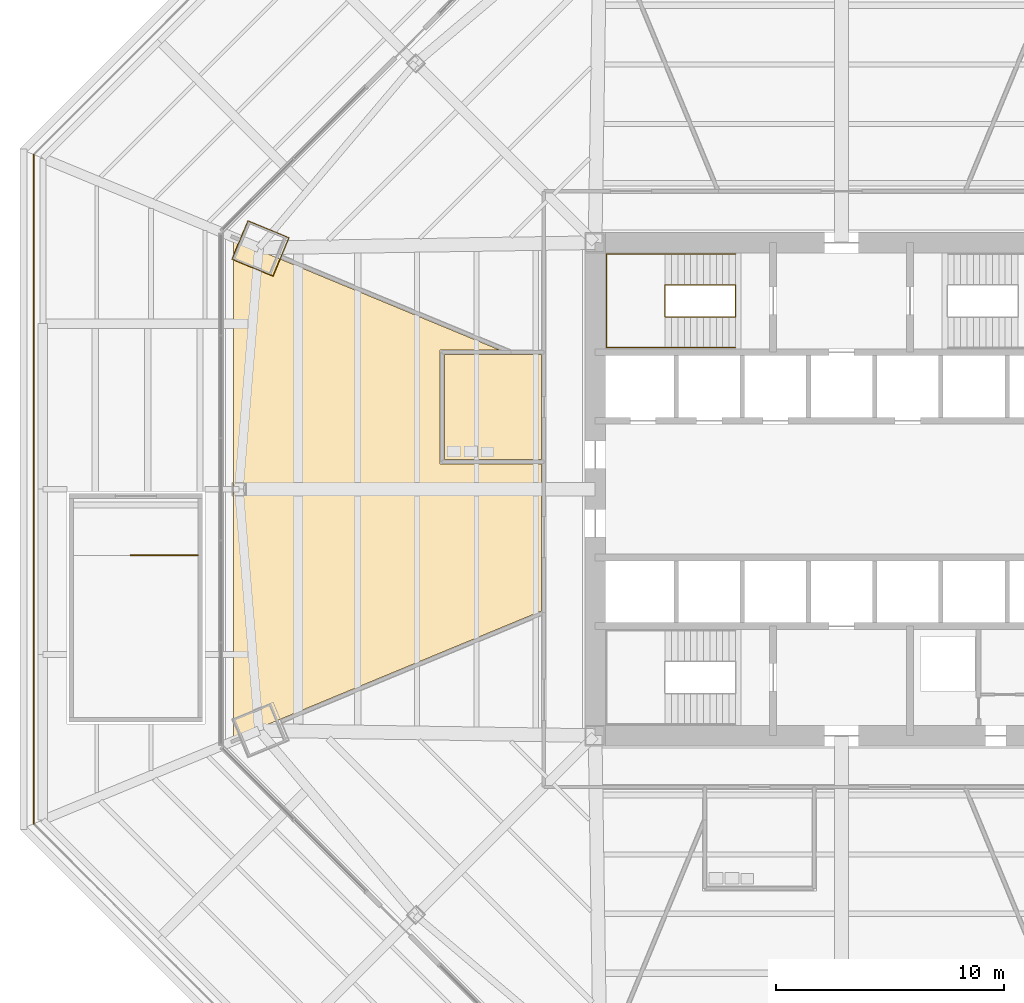
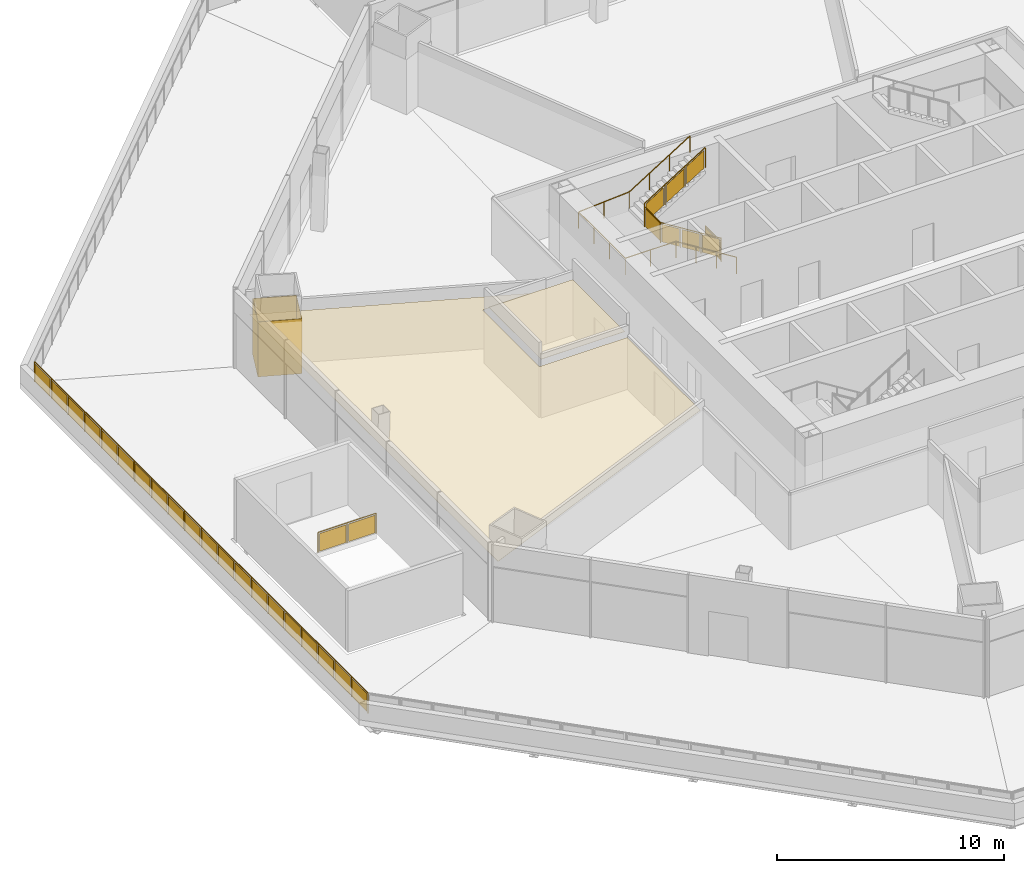
# One storey, part 21 of 25: 4 railings, 3 coverings.
"""IFC4 building model written with IfcOpenShell, lengths in metres."""

from ifc_helpers import new_model, si_unit, direction, frame, origin, origin_2d, place, context, subcontext, project, spatial, polyline, circle, outline, extrude, material, layer, layer_set, type_object, element, save


model = new_model("IFC4")

# Units and contexts
model_context = context("Model", 3, precision=1e-05, world=origin(), true_north=direction((0.0, 1.0)))
body_context = subcontext(model_context, "Body", "Model", "MODEL_VIEW")
ifc_project = project(units=[si_unit("LENGTHUNIT", "METRE"), si_unit("AREAUNIT", "SQUARE_METRE"), si_unit("VOLUMEUNIT", "CUBIC_METRE"), si_unit("PLANEANGLEUNIT", "RADIAN"), si_unit("MASSUNIT", "GRAM", prefix="KILO")], contexts=[model_context])

# Site, building, storey
site_placement = place(None, origin())
site = spatial("IfcSite", under=ifc_project, at=site_placement, CompositionType="ELEMENT")
building_placement = place(site_placement, origin())
building = spatial("IfcBuilding", under=site, at=building_placement, Name="Mashrafa Tower", CompositionType="ELEMENT")
storey_placement = place(building_placement, frame((0.0, 0.0, 28.800048828125)))
storey = spatial("IfcBuildingStorey", under=building, at=storey_placement, Name="L05", CompositionType="ELEMENT", Elevation=28.800048828125)

# Covering
ifc_material_1 = material(Name="Gypsum board")
ifc_layer_1 = layer(ifc_material_1, 0.014892578125)
ifc_layer_set_1 = layer_set([ifc_layer_1], Name="Column casing plasterboard 15")
covering_type_1 = type_object("IfcCoveringType", Name="Column casing plasterboard 15", PredefinedType="CLADDING", material=ifc_layer_set_1)
covering_1_placement = place(storey_placement, origin())
element("IfcCovering", 1, at=covering_1_placement, inside=storey, type_object=covering_type_1, Name="Column casing L05-004", PredefinedType="CLADDING", context=body_context, shape_type="SweptSolid", body=[
    extrude(outline(polyline([(-26.5849609375, 10.021484375), (-26.7177734375, 10.076416015625), (-26.017333984375, 11.76708984375), (-24.33984375, 11.072265625), (-24.20703125, 11.017333984375), (-24.907470703125, 9.32666015625), (-26.5849609375, 10.021484375)]), holes=[polyline([(-24.226806640625, 11.00927734375), (-24.345458984375, 11.058349609375), (-26.00927734375, 11.74755859375), (-26.697998046875, 10.084716796875), (-26.579345703125, 10.035400390625), (-24.91552734375, 9.34619140625), (-24.226806640625, 11.00927734375)])]), origin(), (0.0, 0.0, 1.0), 2.949951171875),
])

# Railings
ifc_material_2 = material(Name="Stainless steel guard with glass infill", Category="steel")
railing_type_1 = type_object("IfcRailingType", Name="Roof garden guard 1100 high", PredefinedType="GUARDRAIL", material=ifc_material_2)
railing_1_placement = place(storey_placement, frame((-35.39990234375, 14.6630859375, 0.0)))
element("IfcRailing", 2, at=railing_1_placement, inside=storey, type_object=railing_type_1, Name="Roof garden guard L05 west", PredefinedType="GUARDRAIL", context=body_context, shape_type="SweptSolid", body=[
    extrude(circle(Radius=0.02392578125, at=origin_2d()), frame((0.0, 0.0, 1.076171875), z_axis=(0.0, -1.0, 0.0), x_axis=(1.0, 0.0, 0.0)), (0.0, 0.0, 1.0), 29.326171875),
    extrude(circle(Radius=0.02099609375, at=origin_2d()), origin(), (0.0, 0.0, 1.0), 1.052001953125),
    extrude(circle(Radius=0.02099609375, at=origin_2d()), frame((0.0, -1.46630859375, 0.0)), (0.0, 0.0, 1.0), 1.052001953125),
    extrude(circle(Radius=0.02099609375, at=origin_2d()), frame((0.0, -2.9326171875, 0.0)), (0.0, 0.0, 1.0), 1.052001953125),
    extrude(circle(Radius=0.02099609375, at=origin_2d()), frame((0.0, -4.39892578125, 0.0)), (0.0, 0.0, 1.0), 1.052001953125),
    extrude(circle(Radius=0.02099609375, at=origin_2d()), frame((0.0, -5.865234375, 0.0)), (0.0, 0.0, 1.0), 1.052001953125),
    extrude(circle(Radius=0.02099609375, at=origin_2d()), frame((0.0, -7.33154296875, 0.0)), (0.0, 0.0, 1.0), 1.052001953125),
    extrude(circle(Radius=0.02099609375, at=origin_2d()), frame((0.0, -8.7978515625, 0.0)), (0.0, 0.0, 1.0), 1.052001953125),
    extrude(circle(Radius=0.02099609375, at=origin_2d()), frame((0.0, -10.26416015625, 0.0)), (0.0, 0.0, 1.0), 1.052001953125),
    extrude(circle(Radius=0.02099609375, at=origin_2d()), frame((0.0, -11.73046875, 0.0)), (0.0, 0.0, 1.0), 1.052001953125),
    extrude(circle(Radius=0.02099609375, at=origin_2d()), frame((0.0, -13.19677734375, 0.0)), (0.0, 0.0, 1.0), 1.052001953125),
    extrude(circle(Radius=0.02099609375, at=origin_2d()), frame((0.0, -14.6630859375, 0.0)), (0.0, 0.0, 1.0), 1.052001953125),
    extrude(circle(Radius=0.02099609375, at=origin_2d()), frame((0.0, -16.12939453125, 0.0)), (0.0, 0.0, 1.0), 1.052001953125),
    extrude(circle(Radius=0.02099609375, at=origin_2d()), frame((0.0, -17.595703125, 0.0)), (0.0, 0.0, 1.0), 1.052001953125),
    extrude(circle(Radius=0.02099609375, at=origin_2d()), frame((0.0, -19.06201171875, 0.0)), (0.0, 0.0, 1.0), 1.052001953125),
    extrude(circle(Radius=0.02099609375, at=origin_2d()), frame((0.0, -20.5283203125, 0.0)), (0.0, 0.0, 1.0), 1.052001953125),
    extrude(circle(Radius=0.02099609375, at=origin_2d()), frame((0.0, -21.99462890625, 0.0)), (0.0, 0.0, 1.0), 1.052001953125),
    extrude(circle(Radius=0.02099609375, at=origin_2d()), frame((0.0, -23.4609375, 0.0)), (0.0, 0.0, 1.0), 1.052001953125),
    extrude(circle(Radius=0.02099609375, at=origin_2d()), frame((0.0, -24.92724609375, 0.0)), (0.0, 0.0, 1.0), 1.052001953125),
    extrude(circle(Radius=0.02099609375, at=origin_2d()), frame((0.0, -26.3935546875, 0.0)), (0.0, 0.0, 1.0), 1.052001953125),
    extrude(circle(Radius=0.02099609375, at=origin_2d()), frame((0.0, -27.85986328125, 0.0)), (0.0, 0.0, 1.0), 1.052001953125),
    extrude(circle(Radius=0.02099609375, at=origin_2d()), frame((0.0, -29.326171875, 0.0)), (0.0, 0.0, 1.0), 1.052001953125),
    extrude(outline(polyline([(0.071044921875, 0.050048828125), (1.395263671875, 0.050048828125), (1.395263671875, 1.001953125), (0.071044921875, 1.001953125), (0.071044921875, 0.050048828125)])), frame((-0.006103515625, 0.0, 0.0), z_axis=(-1.0, 0.0, 0.0), x_axis=(0.0, -1.0, 0.0)), (0.0, 0.0, 1.0), 0.011962890625),
    extrude(outline(polyline([(1.537353515625, 0.050048828125), (2.861572265625, 0.050048828125), (2.861572265625, 1.001953125), (1.537353515625, 1.001953125), (1.537353515625, 0.050048828125)])), frame((-0.006103515625, 0.0, 0.0), z_axis=(-1.0, 0.0, 0.0), x_axis=(0.0, -1.0, 0.0)), (0.0, 0.0, 1.0), 0.011962890625),
    extrude(outline(polyline([(3.003662109375, 0.050048828125), (4.327880859375, 0.050048828125), (4.327880859375, 1.001953125), (3.003662109375, 1.001953125), (3.003662109375, 0.050048828125)])), frame((-0.006103515625, 0.0, 0.0), z_axis=(-1.0, 0.0, 0.0), x_axis=(0.0, -1.0, 0.0)), (0.0, 0.0, 1.0), 0.011962890625),
    extrude(outline(polyline([(4.469970703125, 0.050048828125), (5.794189453125, 0.050048828125), (5.794189453125, 1.001953125), (4.469970703125, 1.001953125), (4.469970703125, 0.050048828125)])), frame((-0.006103515625, 0.0, 0.0), z_axis=(-1.0, 0.0, 0.0), x_axis=(0.0, -1.0, 0.0)), (0.0, 0.0, 1.0), 0.011962890625),
    extrude(outline(polyline([(5.936279296875, 0.050048828125), (7.260498046875, 0.050048828125), (7.260498046875, 1.001953125), (5.936279296875, 1.001953125), (5.936279296875, 0.050048828125)])), frame((-0.006103515625, 0.0, 0.0), z_axis=(-1.0, 0.0, 0.0), x_axis=(0.0, -1.0, 0.0)), (0.0, 0.0, 1.0), 0.011962890625),
    extrude(outline(polyline([(7.402587890625, 0.050048828125), (8.726806640625, 0.050048828125), (8.726806640625, 1.001953125), (7.402587890625, 1.001953125), (7.402587890625, 0.050048828125)])), frame((-0.006103515625, 0.0, 0.0), z_axis=(-1.0, 0.0, 0.0), x_axis=(0.0, -1.0, 0.0)), (0.0, 0.0, 1.0), 0.011962890625),
    extrude(outline(polyline([(8.868896484375, 0.050048828125), (10.193115234375, 0.050048828125), (10.193115234375, 1.001953125), (8.868896484375, 1.001953125), (8.868896484375, 0.050048828125)])), frame((-0.006103515625, 0.0, 0.0), z_axis=(-1.0, 0.0, 0.0), x_axis=(0.0, -1.0, 0.0)), (0.0, 0.0, 1.0), 0.011962890625),
    extrude(outline(polyline([(10.335205078125, 0.050048828125), (11.659423828125, 0.050048828125), (11.659423828125, 1.001953125), (10.335205078125, 1.001953125), (10.335205078125, 0.050048828125)])), frame((-0.006103515625, 0.0, 0.0), z_axis=(-1.0, 0.0, 0.0), x_axis=(0.0, -1.0, 0.0)), (0.0, 0.0, 1.0), 0.011962890625),
    extrude(outline(polyline([(11.801513671875, 0.050048828125), (13.125732421875, 0.050048828125), (13.125732421875, 1.001953125), (11.801513671875, 1.001953125), (11.801513671875, 0.050048828125)])), frame((-0.006103515625, 0.0, 0.0), z_axis=(-1.0, 0.0, 0.0), x_axis=(0.0, -1.0, 0.0)), (0.0, 0.0, 1.0), 0.011962890625),
    extrude(outline(polyline([(13.267822265625, 0.050048828125), (14.592041015625, 0.050048828125), (14.592041015625, 1.001953125), (13.267822265625, 1.001953125), (13.267822265625, 0.050048828125)])), frame((-0.006103515625, 0.0, 0.0), z_axis=(-1.0, 0.0, 0.0), x_axis=(0.0, -1.0, 0.0)), (0.0, 0.0, 1.0), 0.011962890625),
    extrude(outline(polyline([(14.734130859375, 0.050048828125), (16.058349609375, 0.050048828125), (16.058349609375, 1.001953125), (14.734130859375, 1.001953125), (14.734130859375, 0.050048828125)])), frame((-0.006103515625, 0.0, 0.0), z_axis=(-1.0, 0.0, 0.0), x_axis=(0.0, -1.0, 0.0)), (0.0, 0.0, 1.0), 0.011962890625),
    extrude(outline(polyline([(16.200439453125, 0.050048828125), (17.524658203125, 0.050048828125), (17.524658203125, 1.001953125), (16.200439453125, 1.001953125), (16.200439453125, 0.050048828125)])), frame((-0.006103515625, 0.0, 0.0), z_axis=(-1.0, 0.0, 0.0), x_axis=(0.0, -1.0, 0.0)), (0.0, 0.0, 1.0), 0.011962890625),
    extrude(outline(polyline([(17.666748046875, 0.050048828125), (18.990966796875, 0.050048828125), (18.990966796875, 1.001953125), (17.666748046875, 1.001953125), (17.666748046875, 0.050048828125)])), frame((-0.006103515625, 0.0, 0.0), z_axis=(-1.0, 0.0, 0.0), x_axis=(0.0, -1.0, 0.0)), (0.0, 0.0, 1.0), 0.011962890625),
    extrude(outline(polyline([(19.133056640625, 0.050048828125), (20.457275390625, 0.050048828125), (20.457275390625, 1.001953125), (19.133056640625, 1.001953125), (19.133056640625, 0.050048828125)])), frame((-0.006103515625, 0.0, 0.0), z_axis=(-1.0, 0.0, 0.0), x_axis=(0.0, -1.0, 0.0)), (0.0, 0.0, 1.0), 0.011962890625),
    extrude(outline(polyline([(20.599365234375, 0.050048828125), (21.923583984375, 0.050048828125), (21.923583984375, 1.001953125), (20.599365234375, 1.001953125), (20.599365234375, 0.050048828125)])), frame((-0.006103515625, 0.0, 0.0), z_axis=(-1.0, 0.0, 0.0), x_axis=(0.0, -1.0, 0.0)), (0.0, 0.0, 1.0), 0.011962890625),
    extrude(outline(polyline([(22.065673828125, 0.050048828125), (23.389892578125, 0.050048828125), (23.389892578125, 1.001953125), (22.065673828125, 1.001953125), (22.065673828125, 0.050048828125)])), frame((-0.006103515625, 0.0, 0.0), z_axis=(-1.0, 0.0, 0.0), x_axis=(0.0, -1.0, 0.0)), (0.0, 0.0, 1.0), 0.011962890625),
    extrude(outline(polyline([(23.531982421875, 0.050048828125), (24.856201171875, 0.050048828125), (24.856201171875, 1.001953125), (23.531982421875, 1.001953125), (23.531982421875, 0.050048828125)])), frame((-0.006103515625, 0.0, 0.0), z_axis=(-1.0, 0.0, 0.0), x_axis=(0.0, -1.0, 0.0)), (0.0, 0.0, 1.0), 0.011962890625),
    extrude(outline(polyline([(24.998291015625, 0.050048828125), (26.322509765625, 0.050048828125), (26.322509765625, 1.001953125), (24.998291015625, 1.001953125), (24.998291015625, 0.050048828125)])), frame((-0.006103515625, 0.0, 0.0), z_axis=(-1.0, 0.0, 0.0), x_axis=(0.0, -1.0, 0.0)), (0.0, 0.0, 1.0), 0.011962890625),
    extrude(outline(polyline([(26.464599609375, 0.050048828125), (27.788818359375, 0.050048828125), (27.788818359375, 1.001953125), (26.464599609375, 1.001953125), (26.464599609375, 0.050048828125)])), frame((-0.006103515625, 0.0, 0.0), z_axis=(-1.0, 0.0, 0.0), x_axis=(0.0, -1.0, 0.0)), (0.0, 0.0, 1.0), 0.011962890625),
    extrude(outline(polyline([(27.930908203125, 0.050048828125), (29.255126953125, 0.050048828125), (29.255126953125, 1.001953125), (27.930908203125, 1.001953125), (27.930908203125, 0.050048828125)])), frame((-0.006103515625, 0.0, 0.0), z_axis=(-1.0, 0.0, 0.0), x_axis=(0.0, -1.0, 0.0)), (0.0, 0.0, 1.0), 0.011962890625),
])
ifc_material_3 = material(Name="Steel guard with glass infill", Category="steel")
railing_type_2 = type_object("IfcRailingType", Name="Stair guard 1100", PredefinedType="GUARDRAIL", material=ifc_material_3)
railing_2_placement = place(storey_placement, frame((-4.64990234375, 8.949951171875, 0.0)))
element("IfcRailing", 3, at=railing_2_placement, inside=storey, type_object=railing_type_2, Name="Stair S1 guard L05", PredefinedType="GUARDRAIL", context=body_context, shape_type="SweptSolid", body=[
    extrude(circle(Radius=0.02392578125, at=origin_2d()), frame((0.0, 0.0, 1.076171875), z_axis=(0.0, -1.0, 0.0), x_axis=(1.0, 0.0, 0.0)), (0.0, 0.0, 1.0), 1.39990234375),
    extrude(circle(Radius=0.02392578125, at=origin_2d()), frame((0.0, -1.39990234375, 1.076171875), z_axis=(0.0, 0.0, 1.0), x_axis=(1.0, 0.0, 0.0)), (0.0, 0.0, 1.0), 0.175048828125),
    extrude(circle(Radius=0.02392578125, at=origin_2d()), frame((0.0, -1.39990234375, 1.2509765625), z_axis=(-0.848028513186, 0.0, 0.529950602248), x_axis=(0.0, -1.0, 0.0)), (0.0, 0.0, 1.0), 3.632080078125),
    extrude(circle(Radius=0.02392578125, at=origin_2d()), frame((-3.080078125, -1.39990234375, 3.17578125), z_axis=(0.0, 1.0, 0.0), x_axis=(-1.0, 0.0, 0.0)), (0.0, 0.0, 1.0), 1.39990234375),
    extrude(circle(Radius=0.02392578125, at=origin_2d()), frame((-3.080078125, 0.0, 3.17578125), z_axis=(0.0, 0.0, 1.0), x_axis=(1.0, 0.0, 0.0)), (0.0, 0.0, 1.0), 0.175048828125),
    extrude(circle(Radius=0.02392578125, at=origin_2d()), frame((-3.080078125, 0.0, 3.35107421875), z_axis=(0.847998304005, 0.0, 0.529998940003), x_axis=(0.0, 1.0, 0.0)), (0.0, 0.0, 1.0), 3.632080078125),
    extrude(circle(Radius=0.02099609375, at=origin_2d()), origin(), (0.0, 0.0, 1.0), 1.052001953125),
    extrude(circle(Radius=0.02099609375, at=origin_2d()), frame((0.0, -1.39990234375, 0.0)), (0.0, 0.0, 1.0), 1.052001953125),
    extrude(circle(Radius=0.02099609375, at=origin_2d()), frame((0.0, -1.39990234375, 0.175048828125)), (0.0, 0.0, 1.0), 1.052001953125),
    extrude(circle(Radius=0.02099609375, at=origin_2d()), frame((-1.026611328125, -1.39990234375, 0.816650390625)), (0.0, 0.0, 1.0), 1.052001953125),
    extrude(circle(Radius=0.02099609375, at=origin_2d()), frame((-2.053466796875, -1.39990234375, 1.458251953125)), (0.0, 0.0, 1.0), 1.052001953125),
    extrude(circle(Radius=0.02099609375, at=origin_2d()), frame((-3.080078125, -1.39990234375, 2.099853515625)), (0.0, 0.0, 1.0), 1.052001953125),
    extrude(circle(Radius=0.02099609375, at=origin_2d()), frame((-3.080078125, 0.0, 2.099853515625)), (0.0, 0.0, 1.0), 1.052001953125),
    extrude(circle(Radius=0.02099609375, at=origin_2d()), frame((-3.080078125, 0.0, 2.27490234375)), (0.0, 0.0, 1.0), 1.052001953125),
    extrude(circle(Radius=0.02099609375, at=origin_2d()), frame((-2.053466796875, 0.0, 2.91650390625)), (0.0, 0.0, 1.0), 1.052001953125),
    extrude(circle(Radius=0.02099609375, at=origin_2d()), frame((-1.026611328125, 0.0, 3.558349609375)), (0.0, 0.0, 1.0), 1.052001953125),
    extrude(circle(Radius=0.02099609375, at=origin_2d()), frame((0.0, 0.0, 4.199951171875)), (0.0, 0.0, 1.0), 1.052001953125),
    extrude(outline(polyline([(0.071044921875, 0.050048828125), (1.328857421875, 0.050048828125), (1.328857421875, 1.001953125), (0.071044921875, 1.001953125), (0.071044921875, 0.050048828125)])), frame((-0.006103515625, 0.0, 0.0), z_axis=(-1.0, 0.0, 0.0), x_axis=(0.0, -1.0, 0.0)), (0.0, 0.0, 1.0), 0.011962890625),
    extrude(outline(polyline([(0.071044921875, 0.094482421875), (0.955810546875, 0.647216796875), (0.955810546875, 1.59912109375), (0.071044921875, 1.04638671875), (0.071044921875, 0.094482421875)])), frame((0.0, -1.393798828125, 0.175048828125), z_axis=(0.0, 1.0, 0.0), x_axis=(-1.0, 0.0, 0.0)), (0.0, 0.0, 1.0), 0.011962890625),
    extrude(outline(polyline([(1.09765625, 0.736083984375), (1.982421875, 1.288818359375), (1.982421875, 2.24072265625), (1.09765625, 1.68798828125), (1.09765625, 0.736083984375)])), frame((0.0, -1.393798828125, 0.175048828125), z_axis=(0.0, 1.0, 0.0), x_axis=(-1.0, 0.0, 0.0)), (0.0, 0.0, 1.0), 0.011962890625),
    extrude(outline(polyline([(2.124267578125, 1.377685546875), (3.009033203125, 1.930419921875), (3.009033203125, 2.88232421875), (2.124267578125, 2.32958984375), (2.124267578125, 1.377685546875)])), frame((0.0, -1.393798828125, 0.175048828125), z_axis=(0.0, 1.0, 0.0), x_axis=(-1.0, 0.0, 0.0)), (0.0, 0.0, 1.0), 0.011962890625),
    extrude(outline(polyline([(0.071044921875, 0.050048828125), (1.328857421875, 0.050048828125), (1.328857421875, 1.001953125), (0.071044921875, 1.001953125), (0.071044921875, 0.050048828125)])), frame((-3.073974609375, -1.39990234375, 2.099853515625), z_axis=(1.0, 0.0, 0.0), x_axis=(0.0, 1.0, 0.0)), (0.0, 0.0, 1.0), 0.011962890625),
    extrude(outline(polyline([(0.071044921875, 0.094482421875), (0.955810546875, 0.647216796875), (0.955810546875, 1.599365234375), (0.071044921875, 1.04638671875), (0.071044921875, 0.094482421875)])), frame((-3.080078125, -0.006103515625, 2.27490234375), z_axis=(0.0, -1.0, 0.0), x_axis=(1.0, 0.0, 0.0)), (0.0, 0.0, 1.0), 0.011962890625),
    extrude(outline(polyline([(1.09765625, 0.736083984375), (1.982421875, 1.2890625), (1.982421875, 2.240966796875), (1.09765625, 1.68798828125), (1.09765625, 0.736083984375)])), frame((-3.080078125, -0.006103515625, 2.27490234375), z_axis=(0.0, -1.0, 0.0), x_axis=(1.0, 0.0, 0.0)), (0.0, 0.0, 1.0), 0.011962890625),
    extrude(outline(polyline([(2.124267578125, 1.377685546875), (3.009033203125, 1.9306640625), (3.009033203125, 2.882568359375), (2.124267578125, 2.329833984375), (2.124267578125, 1.377685546875)])), frame((-3.080078125, -0.006103515625, 2.27490234375), z_axis=(0.0, -1.0, 0.0), x_axis=(1.0, 0.0, 0.0)), (0.0, 0.0, 1.0), 0.011962890625),
])
railing_3_placement = place(storey_placement, frame((-31.14990234375, -2.89990234375, 0.0)))
element("IfcRailing", 4, at=railing_3_placement, inside=storey, type_object=railing_type_2, Name="Stair P3 guard L05", PredefinedType="GUARDRAIL", context=body_context, shape_type="SweptSolid", body=[
    extrude(circle(Radius=0.02392578125, at=origin_2d()), frame((0.0, 0.0, 1.076171875), z_axis=(1.0, 0.0, 0.0), x_axis=(0.0, 1.0, 0.0)), (0.0, 0.0, 1.0), 2.949951171875),
    extrude(circle(Radius=0.02099609375, at=origin_2d()), origin(), (0.0, 0.0, 1.0), 1.052001953125),
    extrude(circle(Radius=0.02099609375, at=origin_2d()), frame((1.47509765625, 0.0, 0.0)), (0.0, 0.0, 1.0), 1.052001953125),
    extrude(circle(Radius=0.02099609375, at=origin_2d()), frame((2.949951171875, 0.0, 0.0)), (0.0, 0.0, 1.0), 1.052001953125),
    extrude(outline(polyline([(0.071044921875, 0.050048828125), (1.404052734375, 0.050048828125), (1.404052734375, 1.001953125), (0.071044921875, 1.001953125), (0.071044921875, 0.050048828125)])), frame((0.0, -0.006103515625, 0.0), z_axis=(0.0, -1.0, 0.0), x_axis=(1.0, 0.0, 0.0)), (0.0, 0.0, 1.0), 0.011962890625),
    extrude(outline(polyline([(1.5458984375, 0.050048828125), (2.87890625, 0.050048828125), (2.87890625, 1.001953125), (1.5458984375, 1.001953125), (1.5458984375, 0.050048828125)])), frame((0.0, -0.006103515625, 0.0), z_axis=(0.0, -1.0, 0.0), x_axis=(1.0, 0.0, 0.0)), (0.0, 0.0, 1.0), 0.011962890625),
])
ifc_material_4 = material(Name="Steel", Category="steel")
railing_type_3 = type_object("IfcRailingType", Name="Stair handrail 900", PredefinedType="HANDRAIL", material=ifc_material_4)
railing_4_placement = place(storey_placement, frame((-4.64990234375, 6.199951171875, 0.175048828125)))
element("IfcRailing", 5, at=railing_4_placement, inside=storey, type_object=railing_type_3, Name="Stair S1 handrail L05", PredefinedType="HANDRAIL", context=body_context, shape_type="SweptSolid", body=[
    extrude(circle(Radius=0.02392578125, at=origin_2d()), frame((0.0, 0.0, 0.8759765625), z_axis=(-0.848028513186, 0.0, 0.529950602248), x_axis=(0.0, -1.0, 0.0)), (0.0, 0.0, 1.0), 3.632080078125),
    extrude(circle(Radius=0.02392578125, at=origin_2d()), frame((-3.080078125, 0.0, 2.80078125), z_axis=(-1.0, 0.0, 0.0), x_axis=(0.0, -1.0, 0.0)), (0.0, 0.0, 1.0), 2.570068359375),
    extrude(circle(Radius=0.02392578125, at=origin_2d()), frame((-5.650146484375, 0.0, 2.80078125), z_axis=(0.0, 1.0, 0.0), x_axis=(-1.0, 0.0, 0.0)), (0.0, 0.0, 1.0), 4.10009765625),
    extrude(circle(Radius=0.02392578125, at=origin_2d()), frame((-5.650146484375, 4.10009765625, 2.80078125), z_axis=(0.997688514158, 0.0, 0.067953136188), x_axis=(0.0, 1.0, 0.0)), (0.0, 0.0, 1.0), 2.575927734375),
    extrude(circle(Radius=0.02392578125, at=origin_2d()), frame((-3.080078125, 4.10009765625, 2.9755859375), z_axis=(0.847998304005, 0.0, 0.529998940003), x_axis=(0.0, 1.0, 0.0)), (0.0, 0.0, 1.0), 3.632080078125),
    extrude(circle(Radius=0.02099609375, at=origin_2d()), origin(), (0.0, 0.0, 1.0), 0.851806640625),
    extrude(circle(Radius=0.02099609375, at=origin_2d()), frame((-1.026611328125, 0.0, 0.6416015625)), (0.0, 0.0, 1.0), 0.851806640625),
    extrude(circle(Radius=0.02099609375, at=origin_2d()), frame((-2.053466796875, 0.0, 1.283203125)), (0.0, 0.0, 1.0), 0.851806640625),
    extrude(circle(Radius=0.02099609375, at=origin_2d()), frame((-3.080078125, 0.0, 1.9248046875)), (0.0, 0.0, 1.0), 0.851806640625),
    extrude(circle(Radius=0.02099609375, at=origin_2d()), frame((-4.365234375, 0.0, 1.9248046875)), (0.0, 0.0, 1.0), 0.851806640625),
    extrude(circle(Radius=0.02099609375, at=origin_2d()), frame((-5.650146484375, 0.0, 1.9248046875)), (0.0, 0.0, 1.0), 0.851806640625),
    extrude(circle(Radius=0.02099609375, at=origin_2d()), frame((-5.650146484375, 1.36669921875, 1.9248046875)), (0.0, 0.0, 1.0), 0.851806640625),
    extrude(circle(Radius=0.02099609375, at=origin_2d()), frame((-5.650146484375, 2.7333984375, 1.9248046875)), (0.0, 0.0, 1.0), 0.851806640625),
    extrude(circle(Radius=0.02099609375, at=origin_2d()), frame((-5.650146484375, 4.10009765625, 1.9248046875)), (0.0, 0.0, 1.0), 0.851806640625),
    extrude(circle(Radius=0.02099609375, at=origin_2d()), frame((-4.365234375, 4.10009765625, 2.01220703125)), (0.0, 0.0, 1.0), 0.851806640625),
    extrude(circle(Radius=0.02099609375, at=origin_2d()), frame((-3.080078125, 4.10009765625, 2.099853515625)), (0.0, 0.0, 1.0), 0.851806640625),
    extrude(circle(Radius=0.02099609375, at=origin_2d()), frame((-2.053466796875, 4.10009765625, 2.741455078125)), (0.0, 0.0, 1.0), 0.851806640625),
    extrude(circle(Radius=0.02099609375, at=origin_2d()), frame((-1.026611328125, 4.10009765625, 3.38330078125)), (0.0, 0.0, 1.0), 0.851806640625),
    extrude(circle(Radius=0.02099609375, at=origin_2d()), frame((0.0, 4.10009765625, 4.02490234375)), (0.0, 0.0, 1.0), 0.851806640625),
])

# Coverings
ifc_material_5 = material(Name="Gypsum board on suspension grid")
ifc_layer_2 = layer(ifc_material_5, 0.012451171875)
ifc_layer_set_2 = layer_set([ifc_layer_2], Name="Suspended ceiling gypsum 12.5")
covering_type_2 = type_object("IfcCoveringType", Name="Suspended ceiling gypsum 12.5", PredefinedType="CEILING", material=ifc_layer_set_2)
covering_2_placement = place(storey_placement, frame((0.0, 0.0, 3.0)))
element("IfcCovering", 6, at=covering_2_placement, inside=storey, type_object=covering_type_2, Name="Ceiling Ablution Room Men L05", PredefinedType="CEILING", context=body_context, shape_type="SweptSolid", body=[
    extrude(outline(polyline([(-17.39990234375, 1.300048828125), (-17.39990234375, 5.89990234375), (-13.14990234375, 5.89990234375), (-13.14990234375, 1.300048828125), (-17.39990234375, 1.300048828125)])), origin(), (0.0, 0.0, 1.0), 0.012451171875),
])
covering_3_placement = place(storey_placement, frame((0.0, 0.0, 2.800048828125)))
element("IfcCovering", 7, at=covering_3_placement, inside=storey, type_object=covering_type_2, Name="Ceiling Prayer Room Men L05", PredefinedType="CEILING", context=body_context, shape_type="SweptSolid", body=[
    extrude(outline(polyline([(-13.14990234375, 1.10009765625), (-13.14990234375, -5.338623046875), (-26.64990234375, -10.9306640625), (-26.64990234375, 10.9306640625), (-14.988037109375, 6.10009765625), (-17.60009765625, 6.10009765625), (-17.60009765625, 1.10009765625), (-13.14990234375, 1.10009765625)])), origin(), (0.0, 0.0, 1.0), 0.012451171875),
])

save(model, "model.ifc")
